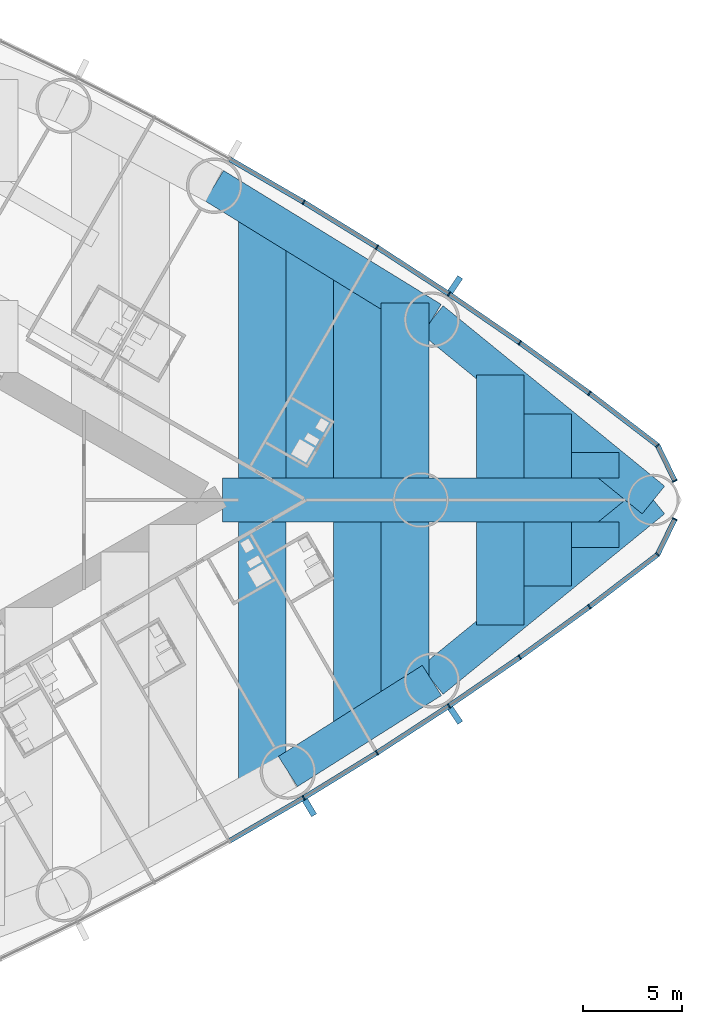
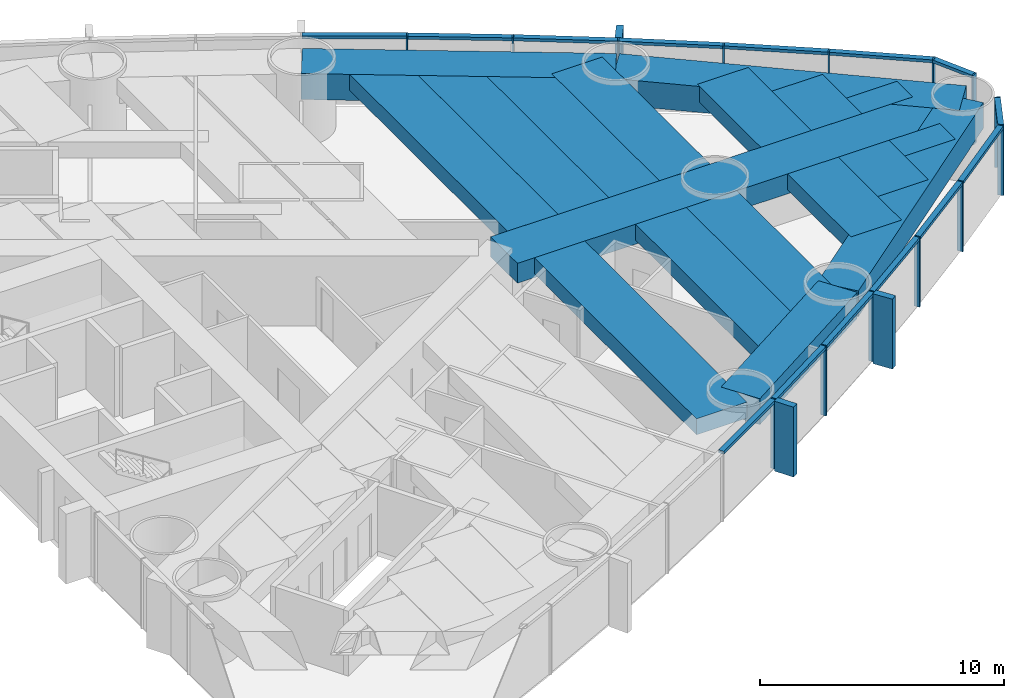
# One storey, part 8 of 19: 31 members, 18 beams, 2 elements without a shape of their own.
"""IFC4 building model written with IfcOpenShell, lengths in metres."""

from ifc_helpers import new_model, si_unit, direction, frame, origin, origin_2d, place, context, subcontext, project, spatial, rectangle, extrude, material, material_profile, profile_set, type_object, element, aggregate, save


model = new_model("IFC4")

# Units and contexts
model_context = context("Model", 3, precision=1e-05, world=origin(), true_north=direction((0.0, 1.0)))
body_context = subcontext(model_context, "Body", "Model", "MODEL_VIEW")
ifc_project = project(units=[si_unit("LENGTHUNIT", "METRE"), si_unit("AREAUNIT", "SQUARE_METRE"), si_unit("VOLUMEUNIT", "CUBIC_METRE"), si_unit("PLANEANGLEUNIT", "RADIAN"), si_unit("MASSUNIT", "GRAM", prefix="KILO")], contexts=[model_context])

# Site, building, storey
site_placement = place(None, origin())
site = spatial("IfcSite", under=ifc_project, at=site_placement, CompositionType="ELEMENT")
building_placement = place(site_placement, origin())
building = spatial("IfcBuilding", under=site, at=building_placement, Name="Lancet Gate Hotel", CompositionType="ELEMENT")
storey_placement = place(building_placement, frame((0.0, 0.0, 67.0)))
storey = spatial("IfcBuildingStorey", under=building, at=storey_placement, Name="L17", CompositionType="ELEMENT", Elevation=67.0)

# Curtain wall, members
ifc_material_1 = material(Name="Aluminium curtain wall", Category="aluminium")
curtain_wall_type = type_object("IfcCurtainWallType", Name="Tower unitised curtain wall", PredefinedType="USERDEFINED", material=ifc_material_1)
curtain_wall_1_placement = place(storey_placement, origin())
curtain_wall_1 = element("IfcCurtainWall", 1, at=curtain_wall_1_placement, inside=storey, type_object=curtain_wall_type, Name="T2 L17 curtain wall 2", ObjectType="UNITISED CURTAIN WALL", PredefinedType="USERDEFINED")
ifc_material_2 = material(Name="Aluminium mullion", Category="aluminium")
ifc_material_profile_1 = material_profile(ifc_material_2, rectangle(XDim=0.06494140625, YDim=0.25, at=origin_2d()), Name="MULLION 65x250")
ifc_profile_set_1 = profile_set([ifc_material_profile_1], Name="Aluminium mullion")
member_type_1 = type_object("IfcMemberType", Name="Aluminium mullion 65x250", PredefinedType="MULLION", material=ifc_profile_set_1)
member_1_placement = place(storey_placement, frame((55.590087890625, -15.03125, 0.0), z_axis=(0.0, 0.0, 1.0), x_axis=(0.858413008828, 0.512959166284, 0.0)))
member_1 = element("IfcMember", 2, at=member_1_placement, type_object=member_type_1, Name="T2 L17 curtain wall 2 mullion 8", PredefinedType="MULLION", context=body_context, shape_type="SweptSolid", body=[
    extrude(rectangle(XDim=0.06494140625, YDim=0.25, at=origin_2d()), origin(), (0.0, 0.0, 1.0), 3.5),
])
member_2_placement = place(storey_placement, frame((59.28515625, -12.7587890625, 0.0), z_axis=(0.0, 0.0, 1.0), x_axis=(0.845079420983, 0.534640788035, 0.0)))
member_2 = element("IfcMember", 3, at=member_2_placement, type_object=member_type_1, Name="T2 L17 curtain wall 2 mullion 9", PredefinedType="MULLION", context=body_context, shape_type="SweptSolid", body=[
    extrude(rectangle(XDim=0.06494140625, YDim=0.25, at=origin_2d()), origin(), (0.0, 0.0, 1.0), 3.5),
])
member_3_placement = place(storey_placement, frame((62.921142578125, -10.393310546875, 0.0), z_axis=(0.0, 0.0, 1.0), x_axis=(0.831198325377, 0.555976028162, 0.0)))
member_3 = element("IfcMember", 4, at=member_3_placement, type_object=member_type_1, Name="T2 L17 curtain wall 2 mullion 10", PredefinedType="MULLION", context=body_context, shape_type="SweptSolid", body=[
    extrude(rectangle(XDim=0.06494140625, YDim=0.25, at=origin_2d()), origin(), (0.0, 0.0, 1.0), 3.5),
])
member_4_placement = place(storey_placement, frame((66.49560546875, -7.935791015625, 0.0), z_axis=(0.0, 0.0, 1.0), x_axis=(0.816778715254, 0.576951064049, 0.0)))
member_4 = element("IfcMember", 5, at=member_4_placement, type_object=member_type_1, Name="T2 L17 curtain wall 2 mullion 11", PredefinedType="MULLION", context=body_context, shape_type="SweptSolid", body=[
    extrude(rectangle(XDim=0.06494140625, YDim=0.25, at=origin_2d()), origin(), (0.0, 0.0, 1.0), 3.5),
])
member_5_placement = place(storey_placement, frame((70.00634765625, -5.388427734375, 0.0), z_axis=(0.0, 0.0, 1.0), x_axis=(0.801829932754, 0.597552306447, 0.0)))
member_5 = element("IfcMember", 6, at=member_5_placement, type_object=member_type_1, Name="T2 L17 curtain wall 2 mullion 12", PredefinedType="MULLION", context=body_context, shape_type="SweptSolid", body=[
    extrude(rectangle(XDim=0.06494140625, YDim=0.25, at=origin_2d()), origin(), (0.0, 0.0, 1.0), 3.5),
])
member_6_placement = place(storey_placement, frame((73.451416015625, -2.752197265625, 0.0), z_axis=(0.0, 0.0, 1.0), x_axis=(0.697983022443, 0.716114306784, 0.0)))
member_6 = element("IfcMember", 7, at=member_6_placement, type_object=member_type_1, Name="T2 L17 curtain wall 2 mullion 13", PredefinedType="MULLION", context=body_context, shape_type="SweptSolid", body=[
    extrude(rectangle(XDim=0.06494140625, YDim=0.25, at=origin_2d()), origin(), (0.0, 0.0, 1.0), 3.5),
])
member_7_placement = place(storey_placement, frame((74.322265625, -0.96044921875, 0.0), z_axis=(0.0, 0.0, 1.0), x_axis=(0.437169070119, 0.899379343843, 0.0)))
member_7 = element("IfcMember", 8, at=member_7_placement, type_object=member_type_1, Name="T2 L17 curtain wall 2 mullion 14", PredefinedType="MULLION", context=body_context, shape_type="SweptSolid", body=[
    extrude(rectangle(XDim=0.06494140625, YDim=0.25, at=origin_2d()), origin(), (0.0, 0.0, 1.0), 3.5),
])

curtain_wall_2_placement = place(storey_placement, origin())
curtain_wall_2 = element("IfcCurtainWall", 9, at=curtain_wall_2_placement, inside=storey, type_object=curtain_wall_type, Name="T2 L17 curtain wall 3", ObjectType="UNITISED CURTAIN WALL", PredefinedType="USERDEFINED")
member_8_placement = place(storey_placement, frame((74.322265625, 0.96044921875, 0.0), z_axis=(0.0, 0.0, 1.0), x_axis=(-0.437169070119, 0.899379343843, 0.0)))
member_8 = element("IfcMember", 10, at=member_8_placement, type_object=member_type_1, Name="T2 L17 curtain wall 3 mullion 1", PredefinedType="MULLION", context=body_context, shape_type="SweptSolid", body=[
    extrude(rectangle(XDim=0.06494140625, YDim=0.25, at=origin_2d()), origin(), (0.0, 0.0, 1.0), 3.5),
])
member_9_placement = place(storey_placement, frame((73.451416015625, 2.752197265625, 0.0), z_axis=(0.0, 0.0, 1.0), x_axis=(-0.697983022443, 0.716114306784, 0.0)))
member_9 = element("IfcMember", 11, at=member_9_placement, type_object=member_type_1, Name="T2 L17 curtain wall 3 mullion 2", PredefinedType="MULLION", context=body_context, shape_type="SweptSolid", body=[
    extrude(rectangle(XDim=0.06494140625, YDim=0.25, at=origin_2d()), origin(), (0.0, 0.0, 1.0), 3.5),
])
member_10_placement = place(storey_placement, frame((70.00634765625, 5.388427734375, 0.0), z_axis=(0.0, 0.0, 1.0), x_axis=(-0.801829932754, 0.597552306447, 0.0)))
member_10 = element("IfcMember", 12, at=member_10_placement, type_object=member_type_1, Name="T2 L17 curtain wall 3 mullion 3", PredefinedType="MULLION", context=body_context, shape_type="SweptSolid", body=[
    extrude(rectangle(XDim=0.06494140625, YDim=0.25, at=origin_2d()), origin(), (0.0, 0.0, 1.0), 3.5),
])
member_11_placement = place(storey_placement, frame((66.49560546875, 7.935791015625, 0.0), z_axis=(0.0, 0.0, 1.0), x_axis=(-0.816778715254, 0.576951064049, 0.0)))
member_11 = element("IfcMember", 13, at=member_11_placement, type_object=member_type_1, Name="T2 L17 curtain wall 3 mullion 4", PredefinedType="MULLION", context=body_context, shape_type="SweptSolid", body=[
    extrude(rectangle(XDim=0.06494140625, YDim=0.25, at=origin_2d()), origin(), (0.0, 0.0, 1.0), 3.5),
])
member_12_placement = place(storey_placement, frame((62.921142578125, 10.393310546875, 0.0), z_axis=(0.0, 0.0, 1.0), x_axis=(-0.831198325377, 0.555976028162, 0.0)))
member_12 = element("IfcMember", 14, at=member_12_placement, type_object=member_type_1, Name="T2 L17 curtain wall 3 mullion 5", PredefinedType="MULLION", context=body_context, shape_type="SweptSolid", body=[
    extrude(rectangle(XDim=0.06494140625, YDim=0.25, at=origin_2d()), origin(), (0.0, 0.0, 1.0), 3.5),
])
member_13_placement = place(storey_placement, frame((59.28515625, 12.7587890625, 0.0), z_axis=(0.0, 0.0, 1.0), x_axis=(-0.845079420983, 0.534640788035, 0.0)))
member_13 = element("IfcMember", 15, at=member_13_placement, type_object=member_type_1, Name="T2 L17 curtain wall 3 mullion 6", PredefinedType="MULLION", context=body_context, shape_type="SweptSolid", body=[
    extrude(rectangle(XDim=0.06494140625, YDim=0.25, at=origin_2d()), origin(), (0.0, 0.0, 1.0), 3.5),
])
member_14_placement = place(storey_placement, frame((55.590087890625, 15.03125, 0.0), z_axis=(0.0, 0.0, 1.0), x_axis=(-0.858413008828, 0.512959166284, 0.0)))
member_14 = element("IfcMember", 16, at=member_14_placement, type_object=member_type_1, Name="T2 L17 curtain wall 3 mullion 7", PredefinedType="MULLION", context=body_context, shape_type="SweptSolid", body=[
    extrude(rectangle(XDim=0.06494140625, YDim=0.25, at=origin_2d()), origin(), (0.0, 0.0, 1.0), 3.5),
])

# Member
ifc_material_3 = material(Name="Aluminium transom", Category="aluminium")
ifc_material_profile_2 = material_profile(ifc_material_3, rectangle(XDim=0.25, YDim=0.14990234375, at=origin_2d()), Name="TRANSOM 250x150")
ifc_profile_set_2 = profile_set([ifc_material_profile_2], Name="Aluminium transom")
member_type_2 = type_object("IfcMemberType", Name="Aluminium transom 250x150", PredefinedType="USERDEFINED", material=ifc_profile_set_2)
member_15_placement = place(storey_placement, frame((51.86669921875, -17.1923828125, 3.425048828125), z_axis=(0.864854571156, 0.502022480324, 0.0), x_axis=(-0.502022480324, 0.864854571156, 0.0)))
member_15 = element("IfcMember", 17, at=member_15_placement, type_object=member_type_2, Name="T2 L17 curtain wall 2 transom 7", ObjectType="TRANSOM", PredefinedType="USERDEFINED", context=body_context, shape_type="SweptSolid", body=[
    extrude(rectangle(XDim=0.25, YDim=0.14990234375, at=origin_2d()), origin(), (0.0, 0.0, 1.0), 4.272705078125),
])

member_16_placement = place(storey_placement, frame((55.617919921875, -15.01416015625, 3.425048828125), z_axis=(0.851815224451, 0.523842365023, 0.0), x_axis=(-0.523842365023, 0.851815224451, 0.0)))
member_16 = element("IfcMember", 18, at=member_16_placement, type_object=member_type_2, Name="T2 L17 curtain wall 2 transom 8", ObjectType="TRANSOM", PredefinedType="USERDEFINED", context=body_context, shape_type="SweptSolid", body=[
    extrude(rectangle(XDim=0.25, YDim=0.14990234375, at=origin_2d()), origin(), (0.0, 0.0, 1.0), 4.272705078125),
])

member_17_placement = place(storey_placement, frame((59.3125, -12.7412109375, 3.425048828125), z_axis=(0.83817850664, 0.545395994674, 0.0), x_axis=(-0.545395994674, 0.83817850664, 0.0)))
member_17 = element("IfcMember", 19, at=member_17_placement, type_object=member_type_2, Name="T2 L17 curtain wall 2 transom 9", ObjectType="TRANSOM", PredefinedType="USERDEFINED", context=body_context, shape_type="SweptSolid", body=[
    extrude(rectangle(XDim=0.25, YDim=0.14990234375, at=origin_2d()), origin(), (0.0, 0.0, 1.0), 4.272705078125),
])

member_18_placement = place(storey_placement, frame((62.94775390625, -10.374755859375, 3.425048828125), z_axis=(0.824071932869, 0.566485171437, 0.0), x_axis=(-0.566485171437, 0.824071932869, 0.0)))
member_18 = element("IfcMember", 20, at=member_18_placement, type_object=member_type_2, Name="T2 L17 curtain wall 2 transom 10", ObjectType="TRANSOM", PredefinedType="USERDEFINED", context=body_context, shape_type="SweptSolid", body=[
    extrude(rectangle(XDim=0.25, YDim=0.14990234375, at=origin_2d()), origin(), (0.0, 0.0, 1.0), 4.272705078125),
])

member_19_placement = place(storey_placement, frame((66.52197265625, -7.916748046875, 3.425048828125), z_axis=(0.809382971085, 0.587281198505, 0.0), x_axis=(-0.587281198505, 0.809382971085, 0.0)))
member_19 = element("IfcMember", 21, at=member_19_placement, type_object=member_type_2, Name="T2 L17 curtain wall 2 transom 11", ObjectType="TRANSOM", PredefinedType="USERDEFINED", context=body_context, shape_type="SweptSolid", body=[
    extrude(rectangle(XDim=0.25, YDim=0.14990234375, at=origin_2d()), origin(), (0.0, 0.0, 1.0), 4.272705078125),
])

member_20_placement = place(storey_placement, frame((70.0322265625, -5.36865234375, 3.425048828125), z_axis=(0.794155062652, 0.607715177089, 0.0), x_axis=(-0.607715177089, 0.794155062652, 0.0)))
member_20 = element("IfcMember", 22, at=member_20_placement, type_object=member_type_2, Name="T2 L17 curtain wall 2 transom 12", ObjectType="TRANSOM", PredefinedType="USERDEFINED", context=body_context, shape_type="SweptSolid", body=[
    extrude(rectangle(XDim=0.25, YDim=0.14990234375, at=origin_2d()), origin(), (0.0, 0.0, 1.0), 4.27294921875),
])

member_21_placement = place(storey_placement, frame((73.465576171875, -2.72314453125, 3.425048828125), z_axis=(0.437103060611, 0.899411426659, 0.0), x_axis=(-0.899411426659, 0.437103060611, 0.0)))
member_21 = element("IfcMember", 23, at=member_21_placement, type_object=member_type_2, Name="T2 L17 curtain wall 2 transom 13", ObjectType="TRANSOM", PredefinedType="USERDEFINED", context=body_context, shape_type="SweptSolid", body=[
    extrude(rectangle(XDim=0.25, YDim=0.14990234375, at=origin_2d()), origin(), (0.0, 0.0, 1.0), 1.927490234375),
])

member_22_placement = place(storey_placement, frame((74.30810546875, 0.989501953125, 3.425048828125), z_axis=(-0.437103060611, 0.899411426659, 0.0), x_axis=(-0.899411426659, -0.437103060611, 0.0)))
member_22 = element("IfcMember", 24, at=member_22_placement, type_object=member_type_2, Name="T2 L17 curtain wall 3 transom 1", ObjectType="TRANSOM", PredefinedType="USERDEFINED", context=body_context, shape_type="SweptSolid", body=[
    extrude(rectangle(XDim=0.25, YDim=0.14990234375, at=origin_2d()), origin(), (0.0, 0.0, 1.0), 1.927490234375),
])

member_23_placement = place(storey_placement, frame((73.425537109375, 2.77197265625, 3.425048828125), z_axis=(-0.794155062652, 0.607715177089, 0.0), x_axis=(-0.607715177089, -0.794155062652, 0.0)))
member_23 = element("IfcMember", 25, at=member_23_placement, type_object=member_type_2, Name="T2 L17 curtain wall 3 transom 2", ObjectType="TRANSOM", PredefinedType="USERDEFINED", context=body_context, shape_type="SweptSolid", body=[
    extrude(rectangle(XDim=0.25, YDim=0.14990234375, at=origin_2d()), origin(), (0.0, 0.0, 1.0), 4.27294921875),
])

member_24_placement = place(storey_placement, frame((69.980224609375, 5.407470703125, 3.425048828125), z_axis=(-0.809382971085, 0.587281198505, 0.0), x_axis=(-0.587281198505, -0.809382971085, 0.0)))
member_24 = element("IfcMember", 26, at=member_24_placement, type_object=member_type_2, Name="T2 L17 curtain wall 3 transom 3", ObjectType="TRANSOM", PredefinedType="USERDEFINED", context=body_context, shape_type="SweptSolid", body=[
    extrude(rectangle(XDim=0.25, YDim=0.14990234375, at=origin_2d()), origin(), (0.0, 0.0, 1.0), 4.272705078125),
])

member_25_placement = place(storey_placement, frame((66.46875, 7.954345703125, 3.425048828125), z_axis=(-0.824071932869, 0.566485171437, 0.0), x_axis=(-0.566485171437, -0.824071932869, 0.0)))
member_25 = element("IfcMember", 27, at=member_25_placement, type_object=member_type_2, Name="T2 L17 curtain wall 3 transom 4", ObjectType="TRANSOM", PredefinedType="USERDEFINED", context=body_context, shape_type="SweptSolid", body=[
    extrude(rectangle(XDim=0.25, YDim=0.14990234375, at=origin_2d()), origin(), (0.0, 0.0, 1.0), 4.272705078125),
])

member_26_placement = place(storey_placement, frame((62.893798828125, 10.410888671875, 3.425048828125), z_axis=(-0.83817850664, 0.545395994674, 0.0), x_axis=(-0.545395994674, -0.83817850664, 0.0)))
member_26 = element("IfcMember", 28, at=member_26_placement, type_object=member_type_2, Name="T2 L17 curtain wall 3 transom 5", ObjectType="TRANSOM", PredefinedType="USERDEFINED", context=body_context, shape_type="SweptSolid", body=[
    extrude(rectangle(XDim=0.25, YDim=0.14990234375, at=origin_2d()), origin(), (0.0, 0.0, 1.0), 4.272705078125),
])

member_27_placement = place(storey_placement, frame((59.257568359375, 12.77587890625, 3.425048828125), z_axis=(-0.851815224451, 0.523842365023, 0.0), x_axis=(-0.523842365023, -0.851815224451, 0.0)))
member_27 = element("IfcMember", 29, at=member_27_placement, type_object=member_type_2, Name="T2 L17 curtain wall 3 transom 6", ObjectType="TRANSOM", PredefinedType="USERDEFINED", context=body_context, shape_type="SweptSolid", body=[
    extrude(rectangle(XDim=0.25, YDim=0.14990234375, at=origin_2d()), origin(), (0.0, 0.0, 1.0), 4.272705078125),
])

member_28_placement = place(storey_placement, frame((55.56201171875, 15.04736328125, 3.425048828125), z_axis=(-0.864854571156, 0.502022480324, 0.0), x_axis=(-0.502022480324, -0.864854571156, 0.0)))
member_28 = element("IfcMember", 30, at=member_28_placement, type_object=member_type_2, Name="T2 L17 curtain wall 3 transom 7", ObjectType="TRANSOM", PredefinedType="USERDEFINED", context=body_context, shape_type="SweptSolid", body=[
    extrude(rectangle(XDim=0.25, YDim=0.14990234375, at=origin_2d()), origin(), (0.0, 0.0, 1.0), 4.272705078125),
])

# Beams
ifc_material_4 = material(Name="Concrete C50/60", Category="concrete")
ifc_material_profile_3 = material_profile(ifc_material_4, rectangle(XDim=1.800048828125, YDim=1.300048828125, at=origin_2d()), Name="RC 1800x1300")
ifc_profile_set_3 = profile_set([ifc_material_profile_3], Name="Concrete C50/60")
beam_type_1 = type_object("IfcBeamType", Name="Edge beam RC 1800x1300", PredefinedType="SPANDREL", material=ifc_profile_set_3)
beam_1_placement = place(storey_placement, frame((54.795166015625, -13.70068359375, 2.60009765625), z_axis=(0.845078312276, 0.534642540508, 0.0), x_axis=(-0.534642540508, 0.845078312276, 0.0)))
element("IfcBeam", 31, at=beam_1_placement, inside=storey, type_object=beam_type_1, Name="T2 edge beam EB1 L17", PredefinedType="SPANDREL", context=body_context, shape_type="SweptSolid", body=[
    extrude(rectangle(XDim=1.800048828125, YDim=1.300048828125, at=origin_2d()), origin(), (0.0, 0.0, 1.0), 8.595947265625),
])
for number, where, z_axis, x_axis, name in (
    (32, (62.059326171875, -9.10498046875, 2.60009765625), (0.775390970005, 0.631481467372, 0.0), (-0.631481467372, 0.775390970005, 0.0), "T2 edge beam EB1 L17"),
    (33, (73.2392578125, 0.0, 2.60009765625), (-0.775390970005, 0.631481467372, 0.0), (-0.631481467372, -0.775390970005, 0.0), "T2 edge beam EB1 L17"),
):
    element("IfcBeam", number, at=place(storey_placement, frame(where, z_axis=z_axis, x_axis=x_axis)), inside=storey, type_object=beam_type_1, Name=name, PredefinedType="SPANDREL", context=body_context, shape_type="SweptSolid", body=[
        extrude(rectangle(XDim=1.800048828125, YDim=1.300048828125, at=origin_2d()), origin(), (0.0, 0.0, 1.0), 14.41845703125),
    ])
beam_2_placement = place(storey_placement, frame((62.059326171875, 9.10498046875, 2.60009765625), z_axis=(-0.851815628025, 0.523841708775, 0.0), x_axis=(-0.523841708775, -0.851815628025, 0.0)))
element("IfcBeam", 34, at=beam_2_placement, inside=storey, type_object=beam_type_1, Name="T2 edge beam EB1 L17", PredefinedType="SPANDREL", context=body_context, shape_type="SweptSolid", body=[
    extrude(rectangle(XDim=1.800048828125, YDim=1.300048828125, at=origin_2d()), origin(), (0.0, 0.0, 1.0), 12.89208984375),
])

# Member
ifc_material_5 = material(Name="Precast concrete C50/60", Category="concrete")
ifc_material_profile_4 = material_profile(ifc_material_5, rectangle(XDim=0.300048828125, YDim=0.89990234375, at=origin_2d()), Name="FIN 300x900")
ifc_profile_set_4 = profile_set([ifc_material_profile_4], Name="Precast concrete C50/60")
member_type_3 = type_object("IfcMemberType", Name="Exposed concrete fin 300x900", PredefinedType="USERDEFINED", material=ifc_profile_set_4)
member_29_placement = place(storey_placement, frame((55.88525390625, -15.524658203125, 0.0), z_axis=(0.0, 0.0, 1.0), x_axis=(0.858413008828, 0.512959166284, 0.0)))
member_29 = element("IfcMember", 35, at=member_29_placement, type_object=member_type_3, Name="T2 L17 curtain wall 2 fin 8", ObjectType="FIN", PredefinedType="USERDEFINED", context=body_context, shape_type="SweptSolid", body=[
    extrude(rectangle(XDim=0.300048828125, YDim=0.89990234375, at=origin_2d()), origin(), (0.0, 0.0, 1.0), 3.5),
])

member_30_placement = place(storey_placement, frame((63.24072265625, -10.87109375, 0.0), z_axis=(0.0, 0.0, 1.0), x_axis=(0.831198325377, 0.555976028162, 0.0)))
member_30 = element("IfcMember", 36, at=member_30_placement, type_object=member_type_3, Name="T2 L17 curtain wall 2 fin 10", ObjectType="FIN", PredefinedType="USERDEFINED", context=body_context, shape_type="SweptSolid", body=[
    extrude(rectangle(XDim=0.300048828125, YDim=0.89990234375, at=origin_2d()), origin(), (0.0, 0.0, 1.0), 3.5),
])

aggregate(curtain_wall_1, [member_1, member_29, member_2, member_3, member_30, member_4, member_5, member_6, member_7, member_15, member_16, member_17, member_18, member_19, member_20, member_21])

member_31_placement = place(storey_placement, frame((63.24072265625, 10.87109375, 0.0), z_axis=(0.0, 0.0, 1.0), x_axis=(-0.831198325377, 0.555976028162, 0.0)))
member_31 = element("IfcMember", 37, at=member_31_placement, type_object=member_type_3, Name="T2 L17 curtain wall 3 fin 5", ObjectType="FIN", PredefinedType="USERDEFINED", context=body_context, shape_type="SweptSolid", body=[
    extrude(rectangle(XDim=0.300048828125, YDim=0.89990234375, at=origin_2d()), origin(), (0.0, 0.0, 1.0), 3.5),
])

aggregate(curtain_wall_2, [member_8, member_9, member_10, member_11, member_12, member_31, member_13, member_14, member_22, member_23, member_24, member_25, member_26, member_27, member_28])

# Beams
ifc_material_6 = material(Name="Concrete C50/60", Category="concrete")
ifc_material_profile_5 = material_profile(ifc_material_6, rectangle(XDim=2.39990234375, YDim=0.800048828125, at=origin_2d()), Name="RC 2400x800")
ifc_profile_set_5 = profile_set([ifc_material_profile_5], Name="Concrete C50/60")
beam_type_2 = type_object("IfcBeamType", Name="Floor beam RC 2400x800", PredefinedType="BEAM", material=ifc_profile_set_5)
beam_3_placement = place(storey_placement, frame((53.502197265625, -14.40771484375, 2.85009765625), z_axis=(0.0, 1.0, 0.0), x_axis=(-1.0, 0.0, 0.0)))
element("IfcBeam", 38, at=beam_3_placement, inside=storey, type_object=beam_type_2, Name="T2 floor beam F16S L17", PredefinedType="BEAM", context=body_context, shape_type="SweptSolid", body=[
    extrude(rectangle(XDim=2.39990234375, YDim=0.800048828125, at=origin_2d()), origin(), (0.0, 0.0, 1.0), 13.3076171875),
])
beam_4_placement = place(storey_placement, frame((53.502197265625, 1.10009765625, 2.85009765625), z_axis=(0.0, 1.0, 0.0), x_axis=(-1.0, 0.0, 0.0)))
element("IfcBeam", 39, at=beam_4_placement, inside=storey, type_object=beam_type_2, Name="T2 floor beam F17N L17", PredefinedType="BEAM", context=body_context, shape_type="SweptSolid", body=[
    extrude(rectangle(XDim=2.39990234375, YDim=0.800048828125, at=origin_2d()), origin(), (0.0, 0.0, 1.0), 13.26708984375),
])
beam_5_placement = place(storey_placement, frame((55.90234375, 1.10009765625, 2.85009765625), z_axis=(0.0, 1.0, 0.0), x_axis=(-1.0, 0.0, 0.0)))
element("IfcBeam", 40, at=beam_5_placement, inside=storey, type_object=beam_type_2, Name="T2 floor beam F18N L17", PredefinedType="BEAM", context=body_context, shape_type="SweptSolid", body=[
    extrude(rectangle(XDim=2.39990234375, YDim=0.800048828125, at=origin_2d()), origin(), (0.0, 0.0, 1.0), 11.791259765625),
])
beam_6_placement = place(storey_placement, frame((58.30224609375, -11.48193359375, 2.85009765625), z_axis=(0.0, 1.0, 0.0), x_axis=(-1.0, 0.0, 0.0)))
element("IfcBeam", 41, at=beam_6_placement, inside=storey, type_object=beam_type_2, Name="T2 floor beam F19S L17", PredefinedType="BEAM", context=body_context, shape_type="SweptSolid", body=[
    extrude(rectangle(XDim=2.39990234375, YDim=0.800048828125, at=origin_2d()), origin(), (0.0, 0.0, 1.0), 10.3818359375),
])
beam_7_placement = place(storey_placement, frame((58.30224609375, 1.10009765625, 2.85009765625), z_axis=(0.0, 1.0, 0.0), x_axis=(-1.0, 0.0, 0.0)))
element("IfcBeam", 42, at=beam_7_placement, inside=storey, type_object=beam_type_2, Name="T2 floor beam F20N L17", PredefinedType="BEAM", context=body_context, shape_type="SweptSolid", body=[
    extrude(rectangle(XDim=2.39990234375, YDim=0.800048828125, at=origin_2d()), origin(), (0.0, 0.0, 1.0), 10.3154296875),
])
beam_8_placement = place(storey_placement, frame((60.7021484375, -9.96337890625, 2.85009765625), z_axis=(0.0, 1.0, 0.0), x_axis=(-1.0, 0.0, 0.0)))
element("IfcBeam", 43, at=beam_8_placement, inside=storey, type_object=beam_type_2, Name="T2 floor beam F21S L17", PredefinedType="BEAM", context=body_context, shape_type="SweptSolid", body=[
    extrude(rectangle(XDim=2.39990234375, YDim=0.800048828125, at=origin_2d()), origin(), (0.0, 0.0, 1.0), 8.86328125),
])
beam_9_placement = place(storey_placement, frame((60.7021484375, 1.10009765625, 2.85009765625), z_axis=(0.0, 1.0, 0.0), x_axis=(-1.0, 0.0, 0.0)))
element("IfcBeam", 44, at=beam_9_placement, inside=storey, type_object=beam_type_2, Name="T2 floor beam F22N L17", PredefinedType="BEAM", context=body_context, shape_type="SweptSolid", body=[
    extrude(rectangle(XDim=2.39990234375, YDim=0.800048828125, at=origin_2d()), origin(), (0.0, 0.0, 1.0), 8.83935546875),
])
for number, where, z_axis, x_axis, name in (
    (45, (65.502197265625, -6.301025390625, 2.85009765625), (0.0, 1.0, 0.0), (-1.0, 0.0, 0.0), "T2 floor beam F23S L17"),
    (46, (65.502197265625, 1.10009765625, 2.85009765625), (0.0, 1.0, 0.0), (-1.0, 0.0, 0.0), "T2 floor beam F24N L17"),
):
    element("IfcBeam", number, at=place(storey_placement, frame(where, z_axis=z_axis, x_axis=x_axis)), inside=storey, type_object=beam_type_2, Name=name, PredefinedType="BEAM", context=body_context, shape_type="SweptSolid", body=[
        extrude(rectangle(XDim=2.39990234375, YDim=0.800048828125, at=origin_2d()), origin(), (0.0, 0.0, 1.0), 5.200927734375),
    ])
for number, where, z_axis, x_axis, name in (
    (47, (67.90234375, -4.346435546875, 2.85009765625), (0.0, 1.0, 0.0), (-1.0, 0.0, 0.0), "T2 floor beam F25S L17"),
    (48, (67.90234375, 1.10009765625, 2.85009765625), (0.0, 1.0, 0.0), (-1.0, 0.0, 0.0), "T2 floor beam F26N L17"),
):
    element("IfcBeam", number, at=place(storey_placement, frame(where, z_axis=z_axis, x_axis=x_axis)), inside=storey, type_object=beam_type_2, Name=name, PredefinedType="BEAM", context=body_context, shape_type="SweptSolid", body=[
        extrude(rectangle(XDim=2.39990234375, YDim=0.800048828125, at=origin_2d()), origin(), (0.0, 0.0, 1.0), 3.246337890625),
    ])
for number, where, z_axis, x_axis, name in (
    (49, (70.30224609375, -2.391845703125, 2.85009765625), (0.0, 1.0, 0.0), (-1.0, 0.0, 0.0), "T2 floor beam F27S L17"),
    (50, (70.30224609375, 1.10009765625, 2.85009765625), (0.0, 1.0, 0.0), (-1.0, 0.0, 0.0), "T2 floor beam F28N L17"),
):
    element("IfcBeam", number, at=place(storey_placement, frame(where, z_axis=z_axis, x_axis=x_axis)), inside=storey, type_object=beam_type_2, Name=name, PredefinedType="BEAM", context=body_context, shape_type="SweptSolid", body=[
        extrude(rectangle(XDim=2.39990234375, YDim=0.800048828125, at=origin_2d()), origin(), (0.0, 0.0, 1.0), 1.291748046875),
    ])
ifc_material_7 = material(Name="Concrete C50/60", Category="concrete")
ifc_material_profile_6 = material_profile(ifc_material_7, rectangle(XDim=2.199951171875, YDim=1.0, at=origin_2d()), Name="RC 2200x1000")
ifc_profile_set_6 = profile_set([ifc_material_profile_6], Name="Concrete C50/60")
beam_type_3 = type_object("IfcBeamType", Name="Radial floor beam RC 2200x1000", PredefinedType="BEAM", material=ifc_profile_set_6)
beam_10_placement = place(storey_placement, frame((73.2392578125, 0.0, 2.75), z_axis=(-1.0, 0.0, 0.0), x_axis=(0.0, -1.0, 0.0)))
element("IfcBeam", 51, at=beam_10_placement, inside=storey, type_object=beam_type_3, Name="T2 radial beam CA L17", PredefinedType="BEAM", context=body_context, shape_type="SweptSolid", body=[
    extrude(rectangle(XDim=2.199951171875, YDim=1.0, at=origin_2d()), origin(), (0.0, 0.0, 1.0), 21.737060546875),
])

save(model, "model.ifc")
